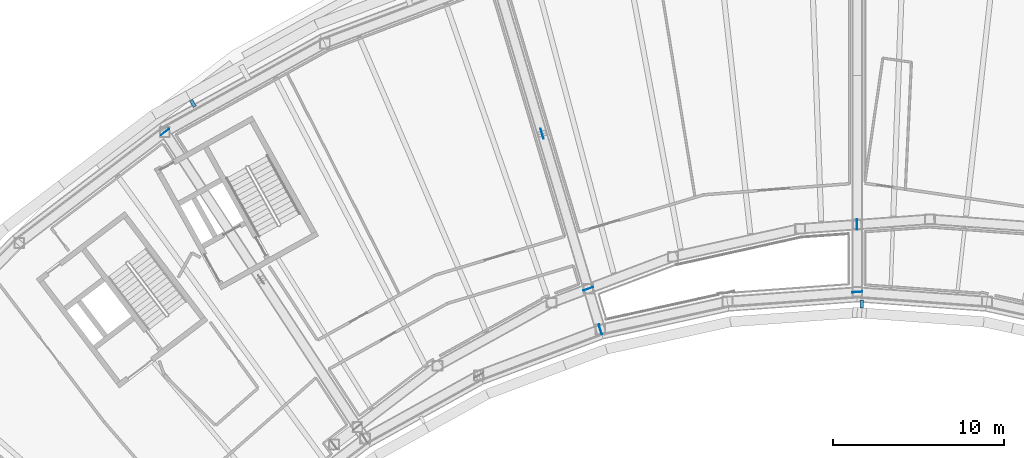
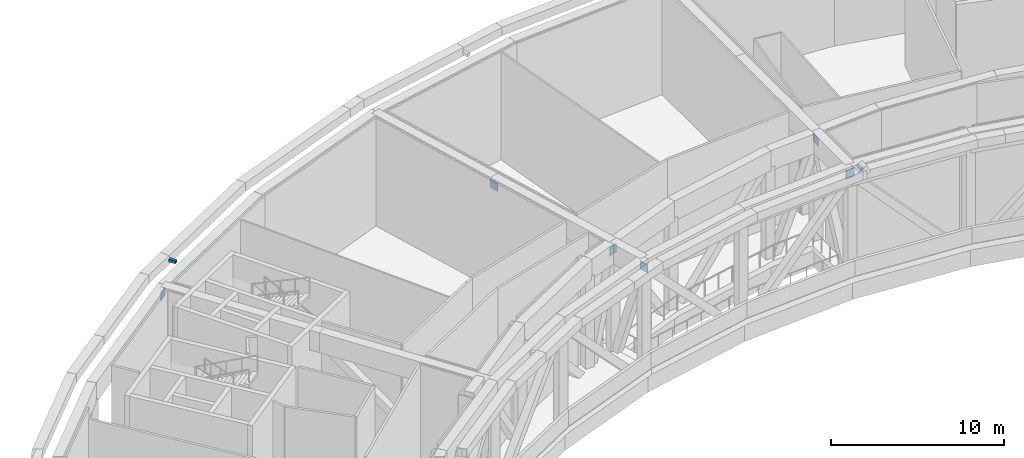
# One storey, part 16 of 24: 8 discrete accessories.
"""IFC4 building model written with IfcOpenShell, lengths in metres."""

from ifc_helpers import new_model, si_unit, direction, frame, origin, origin_2d, place, context, subcontext, project, spatial, rectangle, extrude, material, type_object, element, save


model = new_model("IFC4")

# Units and contexts
model_context = context("Model", 3, precision=1e-05, world=origin(), true_north=direction((0.0, 1.0)))
body_context = subcontext(model_context, "Body", "Model", "MODEL_VIEW")
ifc_project = project(units=[si_unit("LENGTHUNIT", "METRE"), si_unit("AREAUNIT", "SQUARE_METRE"), si_unit("VOLUMEUNIT", "CUBIC_METRE"), si_unit("PLANEANGLEUNIT", "RADIAN"), si_unit("MASSUNIT", "GRAM", prefix="KILO")], contexts=[model_context])

# Site, building, storey
site_placement = place(None, origin())
site = spatial("IfcSite", under=ifc_project, at=site_placement, CompositionType="ELEMENT")
building_placement = place(site_placement, origin())
building = spatial("IfcBuilding", under=site, at=building_placement, Name="Tuul Gate Civic Tower", CompositionType="ELEMENT")
storey_placement = place(building_placement, frame((0.0, 0.0, 277.800048828125)))
storey = spatial("IfcBuildingStorey", under=building, at=storey_placement, Name="Wind floor 2", CompositionType="ELEMENT", Elevation=277.800048828125)

# Discrete accessories
ifc_material_1 = material(Name="Steel S355", Category="steel")
discrete_accessory_type_1 = type_object("IfcDiscreteAccessoryType", Name="Gusset plate", PredefinedType="BRACKET", material=ifc_material_1)
for number, where, z_axis, x_axis, name in (
    (1, (6.787841796875, -8.189697265625, 6.60400390625), (0.0, 0.0, 1.0), (0.0, 1.0, 0.0), "Gusset plate"),
    (2, (-11.595947265625, -2.886474609375, 6.60302734375), (0.0, 0.0, 1.0), (-0.285169103875, 0.958477220488, 0.0), "Gusset plate"),
    (3, (-8.199462890625, -14.30810546875, 6.60400390625), (0.0, 0.0, 1.0), (-0.285169103875, 0.958477220488, 0.0), "Gusset plate"),
    (4, (-33.6142578125, -2.790771484375, 6.602783203125), (0.0, 0.0, 1.0), (-0.795629478909, -0.605783568852, 0.0), "Gusset plate"),
    (5, (6.7880859375, -12.123779296875, 6.603515625), (0.0, 0.0, 1.0), (-0.997381904937, -0.07231414595, 0.0), "Gusset plate"),
    (6, (-8.904296875, -11.935302734375, 6.6044921875), (0.0, 0.0, 1.0), (-0.935367540469, -0.353677203444, 0.0), "Gusset plate"),
):
    element("IfcDiscreteAccessory", number, at=place(storey_placement, frame(where, z_axis=z_axis, x_axis=x_axis)), inside=storey, type_object=discrete_accessory_type_1, Name=name, PredefinedType="BRACKET", context=body_context, shape_type="SweptSolid", body=[
        extrude(rectangle(XDim=0.60009765625, YDim=0.030029296875, at=origin_2d()), origin(), (0.0, 0.0, 1.0), 0.60009765625),
    ])
ifc_material_2 = material(Name="Stainless steel", Category="steel")
discrete_accessory_type_2 = type_object("IfcDiscreteAccessoryType", Name="Screen bracket", PredefinedType="BRACKET", material=ifc_material_2)
discrete_accessory_1_placement = place(storey_placement, frame((-31.978515625, -1.1123046875, 7.5498046875), z_axis=(0.0, 0.0, 1.0), x_axis=(-0.520742945255, 0.853713526288, 0.0)))
element("IfcDiscreteAccessory", 7, at=discrete_accessory_1_placement, inside=storey, type_object=discrete_accessory_type_2, Name="Screen bracket 13", PredefinedType="BRACKET", context=body_context, shape_type="SweptSolid", body=[
    extrude(rectangle(XDim=0.450439453125, YDim=0.199951171875, at=origin_2d()), origin(), (0.0, 0.0, 1.0), 0.199951171875),
])
discrete_accessory_2_placement = place(storey_placement, frame((7.052734375, -12.81982421875, 7.5498046875), z_axis=(0.0, 0.0, 1.0), x_axis=(-0.005106811194, -0.999986960155, 0.0)))
element("IfcDiscreteAccessory", 8, at=discrete_accessory_2_placement, inside=storey, type_object=discrete_accessory_type_2, Name="Screen bracket 25", PredefinedType="BRACKET", context=body_context, shape_type="SweptSolid", body=[
    extrude(rectangle(XDim=0.450927734375, YDim=0.199951171875, at=origin_2d()), origin(), (0.0, 0.0, 1.0), 0.199951171875),
])

save(model, "model.ifc")
